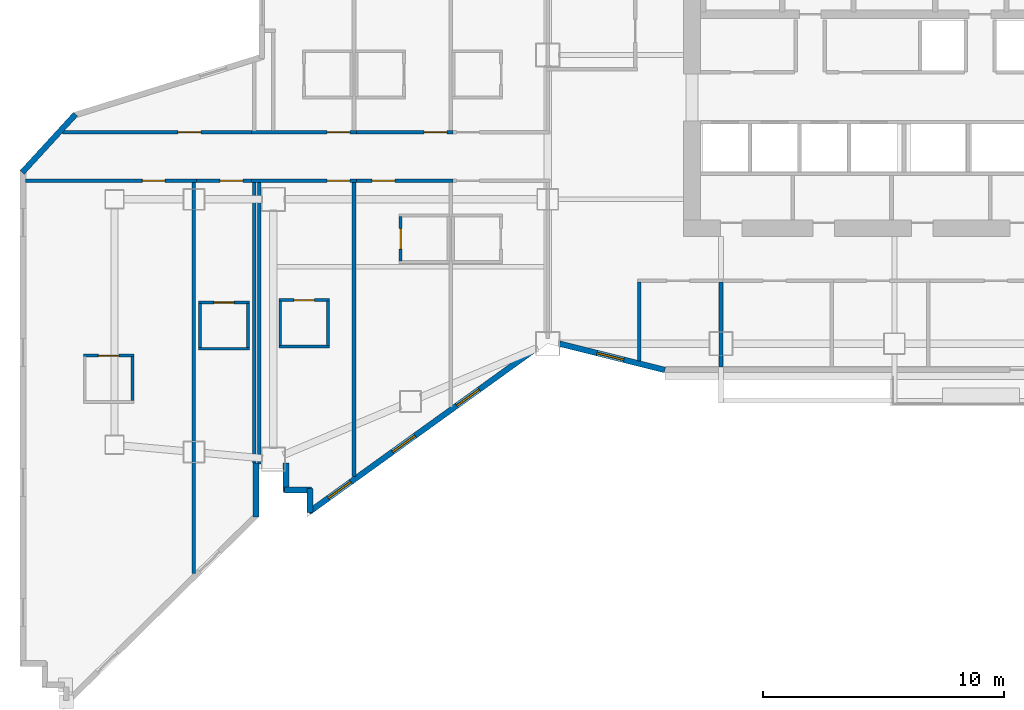
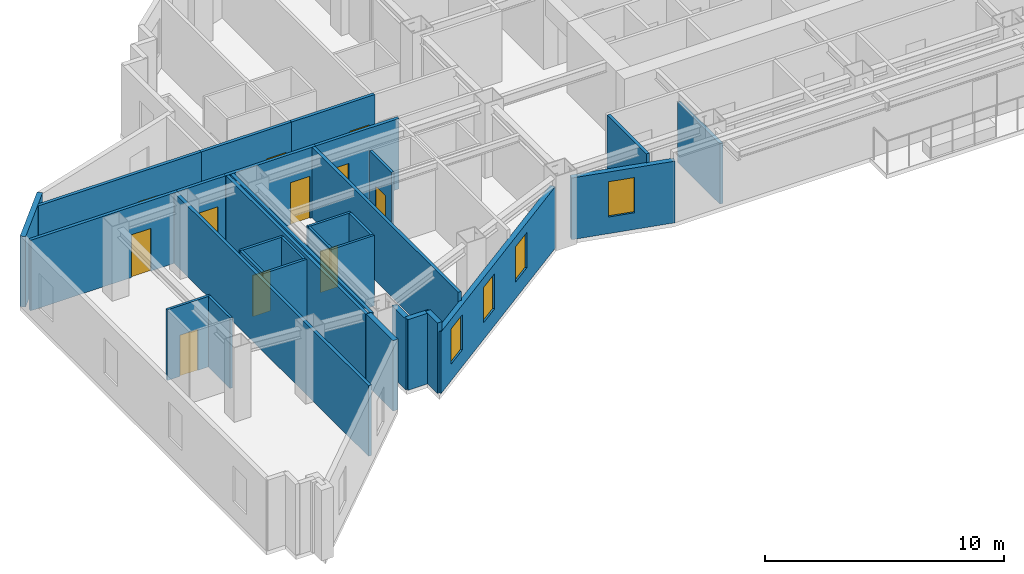
# One storey, part 5 of 13: 31 walls, 11 doors, 4 windows, 15 openings.
"""IFC4 building model written with IfcOpenShell, lengths in metres."""

from ifc_helpers import new_model, si_unit, direction, frame, frame_2d, origin, place, context, subcontext, project, spatial, rectangle, extrude, material, layer, layer_set, type_object, element, fill, save


model = new_model("IFC4")

# Units and contexts
model_context = context("Model", 3, precision=1e-05, world=origin(), true_north=direction((0.0, 1.0)))
body_context = subcontext(model_context, "Body", "Model", "MODEL_VIEW")
ifc_project = project(units=[si_unit("LENGTHUNIT", "METRE"), si_unit("AREAUNIT", "SQUARE_METRE"), si_unit("VOLUMEUNIT", "CUBIC_METRE"), si_unit("PLANEANGLEUNIT", "RADIAN"), si_unit("MASSUNIT", "GRAM", prefix="KILO")], contexts=[model_context])

# Site, building, storey
site_placement = place(None, origin())
site = spatial("IfcSite", under=ifc_project, at=site_placement, CompositionType="ELEMENT")
building_placement = place(site_placement, origin())
building = spatial("IfcBuilding", under=site, at=building_placement, Name="Haolan Belvedere Tower", CompositionType="ELEMENT")
storey_placement = place(building_placement, frame((0.0, 0.0, 117.39990234375)))
storey = spatial("IfcBuildingStorey", under=building, at=storey_placement, Name="L29", CompositionType="ELEMENT", Elevation=117.39990234375)

# Walls
ifc_material_1 = material(Name="Precast concrete C40/50", Category="concrete")
ifc_layer_1 = layer(ifc_material_1, 0.239990234375, Name="Precast concrete C40/50")
ifc_layer_set_1 = layer_set([ifc_layer_1], Name="Precast concrete C40/50")
wall_type_1 = type_object("IfcWallType", Name="WL-EXT-240", PredefinedType="SOLIDWALL", material=ifc_layer_set_1)
wall_1_placement = place(storey_placement, frame((13.1201171875, 16.639892578125, 0.0), z_axis=(0.0, 0.0, 1.0), x_axis=(0.0, -1.0, 0.0)))
element("IfcWall", 1, at=wall_1_placement, inside=storey, type_object=wall_type_1, Name="L29 pale-metal exterior spandrel wall 2.1", PredefinedType="SOLIDWALL", context=body_context, shape_type="SweptSolid", body=[
    extrude(rectangle(XDim=1.1748046875, YDim=0.239990234375, at=frame_2d((0.58740234375, 0.0))), origin(), (0.0, 0.0, 1.0), 3.60009765625),
])
wall_2_placement = place(storey_placement, frame((13.06494140625, 15.52001953125, 0.0), z_axis=(0.0, 0.0, 1.0), x_axis=(1.0, 0.0, 0.0)))
element("IfcWall", 2, at=wall_2_placement, inside=storey, type_object=wall_type_1, Name="L29 pale-metal exterior spandrel wall 3.1", PredefinedType="SOLIDWALL", context=body_context, shape_type="SweptSolid", body=[
    extrude(rectangle(XDim=1.110107421875, YDim=0.239990234375, at=frame_2d((0.55517578125, 0.0))), origin(), (0.0, 0.0, 1.0), 3.60009765625),
])
wall_3_placement = place(storey_placement, frame((14.1201171875, 15.574951171875, 0.0), z_axis=(0.0, 0.0, 1.0), x_axis=(0.0, -1.0, 0.0)))
element("IfcWall", 3, at=wall_3_placement, inside=storey, type_object=wall_type_1, Name="L29 pale-metal exterior spandrel wall 4.1", PredefinedType="SOLIDWALL", context=body_context, shape_type="SweptSolid", body=[
    extrude(rectangle(XDim=0.99560546875, YDim=0.239990234375, at=frame_2d((0.497802734375, 0.0))), origin(), (0.0, 0.0, 1.0), 3.60009765625),
])

# Wall, openings, windows
wall_4_placement = place(storey_placement, frame((14.075439453125, 14.602294921875, 0.0), z_axis=(0.0, 0.0, 1.0), x_axis=(0.811543504691, 0.584291998913, 0.0)))
wall_4 = element("IfcWall", 4, at=wall_4_placement, inside=storey, type_object=wall_type_1, Name="L29 pale-metal exterior spandrel wall 5.1", PredefinedType="SOLIDWALL", context=body_context, shape_type="SweptSolid", body=[
    extrude(rectangle(XDim=11.623046875, YDim=0.239990234375, at=frame_2d((5.8115234375, 0.0))), origin(), (0.0, 0.0, 1.0), 3.14501953125),
])
opening_1_placement = place(wall_4_placement, frame((1.00048828125, 0.0, 0.85009765625)))
opening_1 = element("IfcOpeningElement", 5, at=opening_1_placement, cuts=wall_4, Name="Opening W-02", PredefinedType="OPENING", context=body_context, shape_type="SweptSolid", body=[
    extrude(rectangle(XDim=1.14990234375, YDim=1.800048828125, at=frame_2d((0.574951171875, 0.89990234375))), frame((0.0, 0.1298828125, 0.0), z_axis=(0.0, -1.0, 0.0), x_axis=(1.0, 0.0, 0.0)), (0.0, 0.0, 1.0), 0.260009765625),
])
opening_2_placement = place(wall_4_placement, frame((7.57421875, 0.0, 0.85009765625)))
opening_2 = element("IfcOpeningElement", 6, at=opening_2_placement, cuts=wall_4, Name="Opening W-02", PredefinedType="OPENING", context=body_context, shape_type="SweptSolid", body=[
    extrude(rectangle(XDim=1.14990234375, YDim=1.800048828125, at=frame_2d((0.574951171875, 0.89990234375))), frame((0.0, 0.1298828125, 0.0), z_axis=(0.0, -1.0, 0.0), x_axis=(1.0, 0.0, 0.0)), (0.0, 0.0, 1.0), 0.260009765625),
])
opening_3_placement = place(wall_4_placement, frame((4.287353515625, 0.0, 0.85009765625)))
opening_3 = element("IfcOpeningElement", 7, at=opening_3_placement, cuts=wall_4, Name="Opening W-02", PredefinedType="OPENING", context=body_context, shape_type="SweptSolid", body=[
    extrude(rectangle(XDim=1.14990234375, YDim=1.800048828125, at=frame_2d((0.574951171875, 0.89990234375))), frame((0.0, 0.1298828125, 0.0), z_axis=(0.0, -1.0, 0.0), x_axis=(1.0, 0.0, 0.0)), (0.0, 0.0, 1.0), 0.260009765625),
])
ifc_material_2 = material(Name="Anodised aluminium 6063-T6 and Low-E glass", Category="aluminium")
window_type = type_object("IfcWindowType", Name="WN-DECO-Z2", PartitioningType="SINGLE_PANEL", PredefinedType="WINDOW", material=ifc_material_2)
window_1_placement = place(opening_1_placement, origin())
window_1 = element("IfcWindow", 8, at=window_1_placement, inside=storey, type_object=window_type, Name="L29 Art Deco chevron window 1", OverallHeight=1.800048828125, OverallWidth=1.14990234375, PartitioningType="SINGLE_PANEL", PredefinedType="WINDOW", context=body_context, shape_type="SweptSolid", body=[
    extrude(rectangle(XDim=1.14990234375, YDim=1.800048828125, at=frame_2d((0.574951171875, 0.89990234375))), frame((0.0, 0.030029296875, 0.0), z_axis=(0.0, -1.0, 0.0), x_axis=(1.0, 0.0, 0.0)), (0.0, 0.0, 1.0), 0.06005859375),
])
fill(opening_1, window_1)
window_2_placement = place(opening_2_placement, origin())
window_2 = element("IfcWindow", 9, at=window_2_placement, inside=storey, type_object=window_type, Name="L29 Art Deco chevron window 2", OverallHeight=1.800048828125, OverallWidth=1.14990234375, PartitioningType="SINGLE_PANEL", PredefinedType="WINDOW", context=body_context, shape_type="SweptSolid", body=[
    extrude(rectangle(XDim=1.14990234375, YDim=1.800048828125, at=frame_2d((0.574951171875, 0.89990234375))), frame((0.0, 0.030029296875, 0.0), z_axis=(0.0, -1.0, 0.0), x_axis=(1.0, 0.0, 0.0)), (0.0, 0.0, 1.0), 0.06005859375),
])
fill(opening_2, window_2)
window_3_placement = place(opening_3_placement, origin())
window_3 = element("IfcWindow", 10, at=window_3_placement, inside=storey, type_object=window_type, Name="L29 Art Deco guestroom window 1", OverallHeight=1.800048828125, OverallWidth=1.14990234375, PartitioningType="SINGLE_PANEL", PredefinedType="WINDOW", context=body_context, shape_type="SweptSolid", body=[
    extrude(rectangle(XDim=1.14990234375, YDim=1.800048828125, at=frame_2d((0.574951171875, 0.89990234375))), frame((0.0, 0.030029296875, 0.0), z_axis=(0.0, -1.0, 0.0), x_axis=(1.0, 0.0, 0.0)), (0.0, 0.0, 1.0), 0.06005859375),
])
fill(opening_3, window_3)

# Wall, opening, window
wall_5_placement = place(storey_placement, frame((24.491943359375, 21.6005859375, 0.0), z_axis=(0.0, 0.0, 1.0), x_axis=(0.970145683738, -0.242522890311, 0.0)))
wall_5 = element("IfcWall", 11, at=wall_5_placement, inside=storey, type_object=wall_type_1, Name="L29 pale-metal exterior spandrel wall 6.1", PredefinedType="SOLIDWALL", context=body_context, shape_type="SweptSolid", body=[
    extrude(rectangle(XDim=4.510986328125, YDim=0.239990234375, at=frame_2d((2.25537109375, 0.0))), origin(), (0.0, 0.0, 1.0), 3.14501953125),
])
opening_4_placement = place(wall_5_placement, frame((1.60009765625, 0.0, 0.85009765625)))
opening_4 = element("IfcOpeningElement", 12, at=opening_4_placement, cuts=wall_5, Name="Opening W-02", PredefinedType="OPENING", context=body_context, shape_type="SweptSolid", body=[
    extrude(rectangle(XDim=1.14990234375, YDim=1.800048828125, at=frame_2d((0.574951171875, 0.89990234375))), frame((0.0, 0.1298828125, 0.0), z_axis=(0.0, -1.0, 0.0), x_axis=(1.0, 0.0, 0.0)), (0.0, 0.0, 1.0), 0.260009765625),
])
window_4_placement = place(opening_4_placement, origin())
window_4 = element("IfcWindow", 13, at=window_4_placement, inside=storey, type_object=window_type, Name="L29 Art Deco chevron window 1", OverallHeight=1.800048828125, OverallWidth=1.14990234375, PartitioningType="SINGLE_PANEL", PredefinedType="WINDOW", context=body_context, shape_type="SweptSolid", body=[
    extrude(rectangle(XDim=1.14990234375, YDim=1.800048828125, at=frame_2d((0.574951171875, 0.89990234375))), frame((0.0, 0.030029296875, 0.0), z_axis=(0.0, -1.0, 0.0), x_axis=(1.0, 0.0, 0.0)), (0.0, 0.0, 1.0), 0.06005859375),
])
fill(opening_4, window_4)

# Walls
wall_6_placement = place(storey_placement, frame((4.3837890625, 31.135498046875, 0.0), z_axis=(0.0, 0.0, 1.0), x_axis=(-0.675761629512, -0.737120220913, 0.0)))
element("IfcWall", 14, at=wall_6_placement, inside=storey, type_object=wall_type_1, Name="L29 pale-metal exterior spandrel wall 43.1", PredefinedType="SOLIDWALL", context=body_context, shape_type="SweptSolid", body=[
    extrude(rectangle(XDim=3.28662109375, YDim=0.239990234375, at=frame_2d((1.643310546875, 0.0))), origin(), (0.0, 0.0, 1.0), 3.60009765625),
])
wall_7_placement = place(storey_placement, frame((11.8798828125, 14.395263671875, 0.0), z_axis=(0.0, 0.0, 1.0), x_axis=(0.0, 1.0, 0.0)))
element("IfcWall", 15, at=wall_7_placement, inside=storey, type_object=wall_type_1, Name="L29 pale-metal exterior spandrel wall 50.1", PredefinedType="SOLIDWALL", context=body_context, shape_type="SweptSolid", body=[
    extrude(rectangle(XDim=2.24462890625, YDim=0.239990234375, at=frame_2d((1.122314453125, 0.0))), origin(), (0.0, 0.0, 1.0), 3.60009765625),
])
ifc_material_3 = material(Name="Double gypsum acoustic stud partition", Category="masonry")
ifc_layer_2 = layer(ifc_material_3, 0.14990234375, Name="Double gypsum acoustic stud partition")
ifc_layer_set_2 = layer_set([ifc_layer_2], Name="Double gypsum acoustic stud partition")
wall_type_2 = type_object("IfcWallType", Name="WL-PART-150", PredefinedType="PARTITIONING", material=ifc_layer_set_2)
wall_8_placement = place(storey_placement, frame((27.800048828125, 20.882080078125, 0.0), z_axis=(0.0, 0.0, 1.0), x_axis=(0.0, 1.0, 0.0)))
element("IfcWall", 16, at=wall_8_placement, inside=storey, type_object=wall_type_2, Name="L29 interior partition IW-L29-KS2-W", PredefinedType="PARTITIONING", context=body_context, shape_type="SweptSolid", body=[
    extrude(rectangle(XDim=3.27783203125, YDim=0.14990234375, at=frame_2d((1.638916015625, 0.0))), origin(), (0.0, 0.0, 1.0), 3.60009765625),
])
wall_9_placement = place(storey_placement, frame((31.199951171875, 20.625, 0.0), z_axis=(0.0, 0.0, 1.0), x_axis=(0.0, 1.0, 0.0)))
element("IfcWall", 17, at=wall_9_placement, inside=storey, type_object=wall_type_2, Name="L29 interior partition IW-L29-KS2-E", PredefinedType="PARTITIONING", context=body_context, shape_type="SweptSolid", body=[
    extrude(rectangle(XDim=3.534912109375, YDim=0.14990234375, at=frame_2d((1.767578125, 0.0))), origin(), (0.0, 0.0, 1.0), 3.085205078125),
])

# Wall, opening, door
wall_10_placement = place(storey_placement, frame((11.699951171875, 30.3798828125, 0.0), z_axis=(0.0, 0.0, 1.0), x_axis=(1.0, 0.0, 0.0)))
wall_10 = element("IfcWall", 18, at=wall_10_placement, inside=storey, type_object=wall_type_2, Name="L29 interior partition IW-L29-T2N1-S", PredefinedType="PARTITIONING", context=body_context, shape_type="SweptSolid", body=[
    extrude(rectangle(XDim=4.35009765625, YDim=0.14990234375, at=frame_2d((2.175048828125, 0.0))), origin(), (0.0, 0.0, 1.0), 3.60009765625),
])
opening_5_placement = place(wall_10_placement, frame((3.1298828125, 0.0, 0.0)))
opening_5 = element("IfcOpeningElement", 19, at=opening_5_placement, cuts=wall_10, Name="Opening ID-02", PredefinedType="OPENING", context=body_context, shape_type="SweptSolid", body=[
    extrude(rectangle(XDim=0.949951171875, YDim=2.14990234375, at=frame_2d((0.47509765625, 1.074951171875))), frame((0.0, 0.0849609375, 0.0), z_axis=(0.0, -1.0, 0.0), x_axis=(1.0, 0.0, 0.0)), (0.0, 0.0, 1.0), 0.169921875),
])
ifc_material_4 = material(Name="Acoustic oak veneer fire-rated timber", Category="wood")
door_type_1 = type_object("IfcDoorType", Name="DR-GUEST-950", OperationType="NOTDEFINED", PredefinedType="DOOR", material=ifc_material_4)
door_1_placement = place(opening_5_placement, origin())
door_1 = element("IfcDoor", 20, at=door_1_placement, inside=storey, type_object=door_type_1, Name="L29 door ID-L29-T2N1-ENT", OperationType="SINGLE_SWING_RIGHT", OverallHeight=2.14990234375, OverallWidth=0.949951171875, PredefinedType="DOOR", context=body_context, shape_type="SweptSolid", body=[
    extrude(rectangle(XDim=0.949951171875, YDim=2.14990234375, at=frame_2d((0.47509765625, 1.074951171875))), frame((0.0, 0.02490234375, 0.0), z_axis=(0.0, -1.0, 0.0), x_axis=(1.0, 0.0, 0.0)), (0.0, 0.0, 1.0), 0.050048828125),
])
fill(opening_5, door_1)

wall_11_placement = place(storey_placement, frame((16.052001953125, 30.3798828125, 0.0), z_axis=(0.0, 0.0, 1.0), x_axis=(1.0, 0.0, 0.0)))
wall_11 = element("IfcWall", 21, at=wall_11_placement, inside=storey, type_object=wall_type_2, Name="L29 interior partition IW-L29-T2N2-S", PredefinedType="PARTITIONING", context=body_context, shape_type="SweptSolid", body=[
    extrude(rectangle(XDim=4.01806640625, YDim=0.14990234375, at=frame_2d((2.009033203125, 0.0))), origin(), (0.0, 0.0, 1.0), 3.60009765625),
])
opening_6_placement = place(wall_11_placement, frame((2.809814453125, 0.0, 0.0)))
opening_6 = element("IfcOpeningElement", 22, at=opening_6_placement, cuts=wall_11, Name="Opening ID-02", PredefinedType="OPENING", context=body_context, shape_type="SweptSolid", body=[
    extrude(rectangle(XDim=0.949951171875, YDim=2.14990234375, at=frame_2d((0.47509765625, 1.074951171875))), frame((0.0, 0.0849609375, 0.0), z_axis=(0.0, -1.0, 0.0), x_axis=(1.0, 0.0, 0.0)), (0.0, 0.0, 1.0), 0.169921875),
])
door_2_placement = place(opening_6_placement, origin())
door_2 = element("IfcDoor", 23, at=door_2_placement, inside=storey, type_object=door_type_1, Name="L29 door ID-L29-T2N2-ENT", OperationType="SINGLE_SWING_LEFT", OverallHeight=2.14990234375, OverallWidth=0.949951171875, PredefinedType="DOOR", context=body_context, shape_type="SweptSolid", body=[
    extrude(rectangle(XDim=0.949951171875, YDim=2.14990234375, at=frame_2d((0.47509765625, 1.074951171875))), frame((0.0, 0.02490234375, 0.0), z_axis=(0.0, -1.0, 0.0), x_axis=(1.0, 0.0, 0.0)), (0.0, 0.0, 1.0), 0.050048828125),
])
fill(opening_6, door_2)

wall_12_placement = place(storey_placement, frame((11.699951171875, 28.3701171875, 0.0), z_axis=(0.0, 0.0, 1.0), x_axis=(1.0, 0.0, 0.0)))
wall_12 = element("IfcWall", 24, at=wall_12_placement, inside=storey, type_object=wall_type_2, Name="L29 interior partition IW-L29-T2S1-N", PredefinedType="PARTITIONING", context=body_context, shape_type="SweptSolid", body=[
    extrude(rectangle(XDim=4.35009765625, YDim=0.14990234375, at=frame_2d((2.175048828125, 0.0))), origin(), (0.0, 0.0, 1.0), 3.60009765625),
])
opening_7_placement = place(wall_12_placement, frame((4.079833984375, 0.0, 0.0), z_axis=(0.0, 0.0, 1.0), x_axis=(-1.0, 0.0, 0.0)))
opening_7 = element("IfcOpeningElement", 25, at=opening_7_placement, cuts=wall_12, Name="Opening ID-02", PredefinedType="OPENING", context=body_context, shape_type="SweptSolid", body=[
    extrude(rectangle(XDim=0.949951171875, YDim=2.14990234375, at=frame_2d((0.47509765625, 1.074951171875))), frame((0.0, 0.0849609375, 0.0), z_axis=(0.0, -1.0, 0.0), x_axis=(1.0, 0.0, 0.0)), (0.0, 0.0, 1.0), 0.169921875),
])
door_3_placement = place(opening_7_placement, origin())
door_3 = element("IfcDoor", 26, at=door_3_placement, inside=storey, type_object=door_type_1, Name="L29 door ID-L29-T2S1-ENT", OperationType="SINGLE_SWING_LEFT", OverallHeight=2.14990234375, OverallWidth=0.949951171875, PredefinedType="DOOR", context=body_context, shape_type="SweptSolid", body=[
    extrude(rectangle(XDim=0.949951171875, YDim=2.14990234375, at=frame_2d((0.47509765625, 1.074951171875))), frame((0.0, 0.02490234375, 0.0), z_axis=(0.0, -1.0, 0.0), x_axis=(1.0, 0.0, 0.0)), (0.0, 0.0, 1.0), 0.050048828125),
])
fill(opening_7, door_3)

# Walls
wall_13_placement = place(storey_placement, frame((11.800048828125, 16.64208984375, 0.0), z_axis=(0.0, 0.0, 1.0), x_axis=(0.0, 1.0, 0.0)))
element("IfcWall", 27, at=wall_13_placement, inside=storey, type_object=wall_type_2, Name="L29 interior partition IW-L29-T2S1-W", PredefinedType="PARTITIONING", context=body_context, shape_type="SweptSolid", body=[
    extrude(rectangle(XDim=11.66796875, YDim=0.14990234375, at=frame_2d((5.833984375, 0.0))), origin(), (0.0, 0.0, 1.0), 3.60009765625),
])
wall_14_placement = place(storey_placement, frame((15.949951171875, 16.081298828125, 0.0), z_axis=(0.0, 0.0, 1.0), x_axis=(0.0, 1.0, 0.0)))
element("IfcWall", 28, at=wall_14_placement, inside=storey, type_object=wall_type_2, Name="L29 interior partition IW-L29-T2S1-E", PredefinedType="PARTITIONING", context=body_context, shape_type="SweptSolid", body=[
    extrude(rectangle(XDim=12.228759765625, YDim=0.14990234375, at=frame_2d((6.1142578125, 0.0))), origin(), (0.0, 0.0, 1.0), 3.60009765625),
])

# Wall, opening, door
wall_15_placement = place(storey_placement, frame((16.052001953125, 28.3701171875, 0.0), z_axis=(0.0, 0.0, 1.0), x_axis=(1.0, 0.0, 0.0)))
wall_15 = element("IfcWall", 29, at=wall_15_placement, inside=storey, type_object=wall_type_2, Name="L29 interior partition IW-L29-T2S2-N", PredefinedType="PARTITIONING", context=body_context, shape_type="SweptSolid", body=[
    extrude(rectangle(XDim=4.01806640625, YDim=0.14990234375, at=frame_2d((2.009033203125, 0.0))), origin(), (0.0, 0.0, 1.0), 3.60009765625),
])
opening_8_placement = place(wall_15_placement, frame((1.599365234375, 0.0, 0.0), z_axis=(0.0, 0.0, 1.0), x_axis=(-1.0, 0.0, 0.0)))
opening_8 = element("IfcOpeningElement", 30, at=opening_8_placement, cuts=wall_15, Name="Opening ID-02", PredefinedType="OPENING", context=body_context, shape_type="SweptSolid", body=[
    extrude(rectangle(XDim=0.949951171875, YDim=2.14990234375, at=frame_2d((0.47509765625, 1.074951171875))), frame((0.0, 0.0849609375, 0.0), z_axis=(0.0, -1.0, 0.0), x_axis=(1.0, 0.0, 0.0)), (0.0, 0.0, 1.0), 0.169921875),
])
door_4_placement = place(opening_8_placement, origin())
door_4 = element("IfcDoor", 31, at=door_4_placement, inside=storey, type_object=door_type_1, Name="L29 door ID-L29-T2S2-ENT", OperationType="SINGLE_SWING_RIGHT", OverallHeight=2.14990234375, OverallWidth=0.949951171875, PredefinedType="DOOR", context=body_context, shape_type="SweptSolid", body=[
    extrude(rectangle(XDim=0.949951171875, YDim=2.14990234375, at=frame_2d((0.47509765625, 1.074951171875))), frame((0.0, 0.02490234375, 0.0), z_axis=(0.0, -1.0, 0.0), x_axis=(1.0, 0.0, 0.0)), (0.0, 0.0, 1.0), 0.050048828125),
])
fill(opening_8, door_4)

wall_16_placement = place(storey_placement, frame((2.304931640625, 28.3701171875, 0.0), z_axis=(0.0, 0.0, 1.0), x_axis=(1.0, 0.0, 0.0)))
wall_16 = element("IfcWall", 32, at=wall_16_placement, inside=storey, type_object=wall_type_2, Name="L29 interior partition IW-L29-T1S1-N", PredefinedType="PARTITIONING", context=body_context, shape_type="SweptSolid", body=[
    extrude(rectangle(XDim=7.094970703125, YDim=0.14990234375, at=frame_2d((3.54736328125, 0.0))), origin(), (0.0, 0.0, 1.0), 3.60009765625),
])
opening_9_placement = place(wall_16_placement, frame((5.800048828125, 0.0, 0.0), z_axis=(0.0, 0.0, 1.0), x_axis=(-1.0, 0.0, 0.0)))
opening_9 = element("IfcOpeningElement", 33, at=opening_9_placement, cuts=wall_16, Name="Opening ID-01", PredefinedType="OPENING", context=body_context, shape_type="SweptSolid", body=[
    extrude(rectangle(XDim=0.949951171875, YDim=2.179931640625, at=frame_2d((0.47509765625, 1.08984375))), frame((0.0, 0.0849609375, 0.0), z_axis=(0.0, -1.0, 0.0), x_axis=(1.0, 0.0, 0.0)), (0.0, 0.0, 1.0), 0.169921875),
])
ifc_material_5 = material(Name="Acoustic walnut veneer fire-rated timber", Category="wood")
door_type_2 = type_object("IfcDoorType", Name="DR-SUITE-950", OperationType="NOTDEFINED", PredefinedType="DOOR", material=ifc_material_5)
door_5_placement = place(opening_9_placement, origin())
door_5 = element("IfcDoor", 34, at=door_5_placement, inside=storey, type_object=door_type_2, Name="L29 door ID-L29-T1S1-ENT", OperationType="SINGLE_SWING_RIGHT", OverallHeight=2.179931640625, OverallWidth=0.949951171875, PredefinedType="DOOR", context=body_context, shape_type="SweptSolid", body=[
    extrude(rectangle(XDim=0.949951171875, YDim=2.179931640625, at=frame_2d((0.47509765625, 1.08984375))), frame((0.0, 0.02490234375, 0.0), z_axis=(0.0, -1.0, 0.0), x_axis=(1.0, 0.0, 0.0)), (0.0, 0.0, 1.0), 0.050048828125),
])
fill(opening_9, door_5)

# Wall
wall_17_placement = place(storey_placement, frame((9.300048828125, 12.054443359375, 0.0), z_axis=(0.0, 0.0, 1.0), x_axis=(0.0, 1.0, 0.0)))
element("IfcWall", 35, at=wall_17_placement, inside=storey, type_object=wall_type_2, Name="L29 interior partition IW-L29-T1S1-E", PredefinedType="PARTITIONING", context=body_context, shape_type="SweptSolid", body=[
    extrude(rectangle(XDim=16.255615234375, YDim=0.14990234375, at=frame_2d((8.1279296875, 0.0))), origin(), (0.0, 0.0, 1.0), 3.60009765625),
])

# Wall, opening, door
wall_18_placement = place(storey_placement, frame((9.402099609375, 28.3701171875, 0.0), z_axis=(0.0, 0.0, 1.0), x_axis=(1.0, 0.0, 0.0)))
wall_18 = element("IfcWall", 36, at=wall_18_placement, inside=storey, type_object=wall_type_2, Name="L29 interior partition IW-L29-T1S2-N", PredefinedType="PARTITIONING", context=body_context, shape_type="SweptSolid", body=[
    extrude(rectangle(XDim=2.2958984375, YDim=0.14990234375, at=frame_2d((1.14794921875, 0.0))), origin(), (0.0, 0.0, 1.0), 3.60009765625),
])
opening_10_placement = place(wall_18_placement, frame((1.93408203125, 0.0, 0.0), z_axis=(0.0, 0.0, 1.0), x_axis=(-1.0, 0.0, 0.0)))
opening_10 = element("IfcOpeningElement", 37, at=opening_10_placement, cuts=wall_18, Name="Opening ID-02", PredefinedType="OPENING", context=body_context, shape_type="SweptSolid", body=[
    extrude(rectangle(XDim=0.949951171875, YDim=2.14990234375, at=frame_2d((0.47509765625, 1.074951171875))), frame((0.0, 0.0849609375, 0.0), z_axis=(0.0, -1.0, 0.0), x_axis=(1.0, 0.0, 0.0)), (0.0, 0.0, 1.0), 0.169921875),
])
door_6_placement = place(opening_10_placement, origin())
door_6 = element("IfcDoor", 38, at=door_6_placement, inside=storey, type_object=door_type_1, Name="L29 door ID-L29-T1S2-ENT", OperationType="SINGLE_SWING_LEFT", OverallHeight=2.14990234375, OverallWidth=0.949951171875, PredefinedType="DOOR", context=body_context, shape_type="SweptSolid", body=[
    extrude(rectangle(XDim=0.949951171875, YDim=2.14990234375, at=frame_2d((0.47509765625, 1.074951171875))), frame((0.0, 0.02490234375, 0.0), z_axis=(0.0, -1.0, 0.0), x_axis=(1.0, 0.0, 0.0)), (0.0, 0.0, 1.0), 0.050048828125),
])
fill(opening_10, door_6)

# Wall
wall_19_placement = place(storey_placement, frame((12.02001953125, 16.612060546875, 0.0), z_axis=(0.0, 0.0, 1.0), x_axis=(0.0, 1.0, 0.0)))
element("IfcWall", 39, at=wall_19_placement, inside=storey, type_object=wall_type_2, Name="L29 interior partition IW-L29-T1S2-E", PredefinedType="PARTITIONING", context=body_context, shape_type="SweptSolid", body=[
    extrude(rectangle(XDim=11.697998046875, YDim=0.14990234375, at=frame_2d((5.84912109375, 0.0))), origin(), (0.0, 0.0, 1.0), 3.60009765625),
])

# Wall, opening, door
wall_20_placement = place(storey_placement, frame((3.83349609375, 30.3798828125, 0.0), z_axis=(0.0, 0.0, 1.0), x_axis=(1.0, 0.0, 0.0)))
wall_20 = element("IfcWall", 40, at=wall_20_placement, inside=storey, type_object=wall_type_2, Name="L29 interior partition IW-L29-T1N1-S", PredefinedType="PARTITIONING", context=body_context, shape_type="SweptSolid", body=[
    extrude(rectangle(XDim=7.864501953125, YDim=0.14990234375, at=frame_2d((3.93212890625, 0.0))), origin(), (0.0, 0.0, 1.0), 3.60009765625),
])
opening_11_placement = place(wall_20_placement, frame((4.803955078125, 0.0, 0.0)))
opening_11 = element("IfcOpeningElement", 41, at=opening_11_placement, cuts=wall_20, Name="Opening ID-03", PredefinedType="OPENING", context=body_context, shape_type="SweptSolid", body=[
    extrude(rectangle(XDim=0.949951171875, YDim=2.1201171875, at=frame_2d((0.47509765625, 1.06005859375))), frame((0.0, 0.0849609375, 0.0), z_axis=(0.0, -1.0, 0.0), x_axis=(1.0, 0.0, 0.0)), (0.0, 0.0, 1.0), 0.169921875),
])
ifc_material_6 = material(Name="Painted solid-core timber", Category="wood")
door_type_3 = type_object("IfcDoorType", Name="DR-INT-950", OperationType="NOTDEFINED", PredefinedType="DOOR", material=ifc_material_6)
door_7_placement = place(opening_11_placement, origin())
door_7 = element("IfcDoor", 42, at=door_7_placement, inside=storey, type_object=door_type_3, Name="L29 door ID-L29-T1N1", OperationType="SINGLE_SWING_RIGHT", OverallHeight=2.1201171875, OverallWidth=0.949951171875, PredefinedType="DOOR", context=body_context, shape_type="SweptSolid", body=[
    extrude(rectangle(XDim=0.949951171875, YDim=2.1201171875, at=frame_2d((0.47509765625, 1.06005859375))), frame((0.0, 0.02490234375, 0.0), z_axis=(0.0, -1.0, 0.0), x_axis=(1.0, 0.0, 0.0)), (0.0, 0.0, 1.0), 0.050048828125),
])
fill(opening_11, door_7)

ifc_material_7 = material(Name="Moisture-resistant gypsum tile partition", Category="masonry")
ifc_layer_3 = layer(ifc_material_7, 0.1201171875, Name="Moisture-resistant gypsum tile partition")
ifc_layer_set_3 = layer_set([ifc_layer_3], Name="Moisture-resistant gypsum tile partition")
wall_type_3 = type_object("IfcWallType", Name="WL-WET-120", PredefinedType="PARTITIONING", material=ifc_layer_set_3)
wall_21_placement = place(storey_placement, frame((12.824951171875, 23.409912109375, 0.0), z_axis=(0.0, 0.0, 1.0), x_axis=(1.0, 0.0, 0.0)))
wall_21 = element("IfcWall", 43, at=wall_21_placement, inside=storey, type_object=wall_type_3, Name="L29 interior partition IW-L29-T2S1-BN", PredefinedType="PARTITIONING", context=body_context, shape_type="SweptSolid", body=[
    extrude(rectangle(XDim=2.10009765625, YDim=0.1201171875, at=frame_2d((1.050048828125, 0.0))), origin(), (0.0, 0.0, 1.0), 3.60009765625),
])
opening_12_placement = place(wall_21_placement, frame((1.47509765625, 0.0, 0.0), z_axis=(0.0, 0.0, 1.0), x_axis=(-1.0, 0.0, 0.0)))
opening_12 = element("IfcOpeningElement", 44, at=opening_12_placement, cuts=wall_21, Name="Opening ID-05", PredefinedType="OPENING", context=body_context, shape_type="SweptSolid", body=[
    extrude(rectangle(XDim=0.85009765625, YDim=2.10009765625, at=frame_2d((0.425048828125, 1.050048828125))), frame((0.0, 0.070068359375, 0.0), z_axis=(0.0, -1.0, 0.0), x_axis=(1.0, 0.0, 0.0)), (0.0, 0.0, 1.0), 0.14013671875),
])
ifc_material_8 = material(Name="Moisture-resistant lacquered timber", Category="wood")
door_type_4 = type_object("IfcDoorType", Name="DR-BATH-850", OperationType="NOTDEFINED", PredefinedType="DOOR", material=ifc_material_8)
door_8_placement = place(opening_12_placement, origin())
door_8 = element("IfcDoor", 45, at=door_8_placement, inside=storey, type_object=door_type_4, Name="L29 door ID-L29-T2S1-BATH", OperationType="SINGLE_SWING_RIGHT", OverallHeight=2.10009765625, OverallWidth=0.85009765625, PredefinedType="DOOR", context=body_context, shape_type="SweptSolid", body=[
    extrude(rectangle(XDim=0.85009765625, YDim=2.10009765625, at=frame_2d((0.425048828125, 1.050048828125))), frame((0.0, 0.02490234375, 0.0), z_axis=(0.0, -1.0, 0.0), x_axis=(1.0, 0.0, 0.0)), (0.0, 0.0, 1.0), 0.050048828125),
])
fill(opening_12, door_8)

# Walls
wall_22_placement = place(storey_placement, frame((12.824951171875, 21.489990234375, 0.0), z_axis=(0.0, 0.0, 1.0), x_axis=(1.0, 0.0, 0.0)))
element("IfcWall", 46, at=wall_22_placement, inside=storey, type_object=wall_type_3, Name="L29 interior partition IW-L29-T2S1-BS", PredefinedType="PARTITIONING", context=body_context, shape_type="SweptSolid", body=[
    extrude(rectangle(XDim=2.10009765625, YDim=0.1201171875, at=frame_2d((1.050048828125, 0.0))), origin(), (0.0, 0.0, 1.0), 3.60009765625),
])
for number, where, z_axis, x_axis, name in (
    (47, (12.885009765625, 21.534912109375, 0.0), (0.0, 0.0, 1.0), (0.0, 1.0, 0.0), "L29 interior partition IW-L29-T2S1-BW"),
    (48, (14.864990234375, 21.534912109375, 0.0), (0.0, 0.0, 1.0), (0.0, 1.0, 0.0), "L29 interior partition IW-L29-T2S1-BE"),
):
    element("IfcWall", number, at=place(storey_placement, frame(where, z_axis=z_axis, x_axis=x_axis)), inside=storey, type_object=wall_type_3, Name=name, PredefinedType="PARTITIONING", context=body_context, shape_type="SweptSolid", body=[
        extrude(rectangle(XDim=1.830078125, YDim=0.1201171875, at=frame_2d((0.9150390625, 0.0))), origin(), (0.0, 0.0, 1.0), 3.60009765625),
    ])

# Wall, opening, door
wall_23_placement = place(storey_placement, frame((17.889892578125, 25.044921875, 0.0), z_axis=(0.0, 0.0, 1.0), x_axis=(0.0, 1.0, 0.0)))
wall_23 = element("IfcWall", 49, at=wall_23_placement, inside=storey, type_object=wall_type_3, Name="L29 interior partition IW-L29-T2S2-BW", PredefinedType="PARTITIONING", context=body_context, shape_type="SweptSolid", body=[
    extrude(rectangle(XDim=1.830078125, YDim=0.1201171875, at=frame_2d((0.9150390625, 0.0))), origin(), (0.0, 0.0, 1.0), 3.60009765625),
])
opening_13_placement = place(wall_23_placement, frame((1.340087890625, 0.0, 0.0), z_axis=(0.0, 0.0, 1.0), x_axis=(-1.0, 0.0, 0.0)))
opening_13 = element("IfcOpeningElement", 50, at=opening_13_placement, cuts=wall_23, Name="Opening ID-05", PredefinedType="OPENING", context=body_context, shape_type="SweptSolid", body=[
    extrude(rectangle(XDim=0.85009765625, YDim=2.10009765625, at=frame_2d((0.425048828125, 1.050048828125))), frame((0.0, 0.070068359375, 0.0), z_axis=(0.0, -1.0, 0.0), x_axis=(1.0, 0.0, 0.0)), (0.0, 0.0, 1.0), 0.14013671875),
])
door_9_placement = place(opening_13_placement, origin())
door_9 = element("IfcDoor", 51, at=door_9_placement, inside=storey, type_object=door_type_4, Name="L29 door ID-L29-T2S2-BATH", OperationType="SINGLE_SWING_LEFT", OverallHeight=2.10009765625, OverallWidth=0.85009765625, PredefinedType="DOOR", context=body_context, shape_type="SweptSolid", body=[
    extrude(rectangle(XDim=0.85009765625, YDim=2.10009765625, at=frame_2d((0.425048828125, 1.050048828125))), frame((0.0, 0.02490234375, 0.0), z_axis=(0.0, -1.0, 0.0), x_axis=(1.0, 0.0, 0.0)), (0.0, 0.0, 1.0), 0.050048828125),
])
fill(opening_13, door_9)

wall_24_placement = place(storey_placement, frame((4.705078125, 21.10595703125, 0.0), z_axis=(0.0, 0.0, 1.0), x_axis=(1.0, 0.0, 0.0)))
wall_24 = element("IfcWall", 52, at=wall_24_placement, inside=storey, type_object=wall_type_3, Name="L29 interior partition IW-L29-T1S1-BN", PredefinedType="PARTITIONING", context=body_context, shape_type="SweptSolid", body=[
    extrude(rectangle(XDim=2.099853515625, YDim=0.1201171875, at=frame_2d((1.0498046875, 0.0))), origin(), (0.0, 0.0, 1.0), 3.60009765625),
])
opening_14_placement = place(wall_24_placement, frame((1.47509765625, 0.0, 0.0), z_axis=(0.0, 0.0, 1.0), x_axis=(-1.0, 0.0, 0.0)))
opening_14 = element("IfcOpeningElement", 53, at=opening_14_placement, cuts=wall_24, Name="Opening ID-05", PredefinedType="OPENING", context=body_context, shape_type="SweptSolid", body=[
    extrude(rectangle(XDim=0.85009765625, YDim=2.10009765625, at=frame_2d((0.425048828125, 1.050048828125))), frame((0.0, 0.070068359375, 0.0), z_axis=(0.0, -1.0, 0.0), x_axis=(1.0, 0.0, 0.0)), (0.0, 0.0, 1.0), 0.14013671875),
])
door_10_placement = place(opening_14_placement, origin())
door_10 = element("IfcDoor", 54, at=door_10_placement, inside=storey, type_object=door_type_4, Name="L29 door ID-L29-T1S1-BATH", OperationType="SINGLE_SWING_LEFT", OverallHeight=2.10009765625, OverallWidth=0.85009765625, PredefinedType="DOOR", context=body_context, shape_type="SweptSolid", body=[
    extrude(rectangle(XDim=0.85009765625, YDim=2.10009765625, at=frame_2d((0.425048828125, 1.050048828125))), frame((0.0, 0.02490234375, 0.0), z_axis=(0.0, -1.0, 0.0), x_axis=(1.0, 0.0, 0.0)), (0.0, 0.0, 1.0), 0.050048828125),
])
fill(opening_14, door_10)

# Wall
wall_25_placement = place(storey_placement, frame((6.7451171875, 19.23095703125, 0.0), z_axis=(0.0, 0.0, 1.0), x_axis=(0.0, 1.0, 0.0)))
element("IfcWall", 55, at=wall_25_placement, inside=storey, type_object=wall_type_3, Name="L29 interior partition IW-L29-T1S1-BE", PredefinedType="PARTITIONING", context=body_context, shape_type="SweptSolid", body=[
    extrude(rectangle(XDim=1.830078125, YDim=0.1201171875, at=frame_2d((0.9150390625, 0.0))), origin(), (0.0, 0.0, 1.0), 3.60009765625),
])

# Wall, opening, door
wall_26_placement = place(storey_placement, frame((9.5, 23.31005859375, 0.0), z_axis=(0.0, 0.0, 1.0), x_axis=(1.0, 0.0, 0.0)))
wall_26 = element("IfcWall", 56, at=wall_26_placement, inside=storey, type_object=wall_type_3, Name="L29 interior partition IW-L29-T1S2-BN", PredefinedType="PARTITIONING", context=body_context, shape_type="SweptSolid", body=[
    extrude(rectangle(XDim=2.10009765625, YDim=0.1201171875, at=frame_2d((1.050048828125, 0.0))), origin(), (0.0, 0.0, 1.0), 3.60009765625),
])
opening_15_placement = place(wall_26_placement, frame((1.47509765625, 0.0, 0.0), z_axis=(0.0, 0.0, 1.0), x_axis=(-1.0, 0.0, 0.0)))
opening_15 = element("IfcOpeningElement", 57, at=opening_15_placement, cuts=wall_26, Name="Opening ID-05", PredefinedType="OPENING", context=body_context, shape_type="SweptSolid", body=[
    extrude(rectangle(XDim=0.85009765625, YDim=2.10009765625, at=frame_2d((0.425048828125, 1.050048828125))), frame((0.0, 0.070068359375, 0.0), z_axis=(0.0, -1.0, 0.0), x_axis=(1.0, 0.0, 0.0)), (0.0, 0.0, 1.0), 0.14013671875),
])
door_11_placement = place(opening_15_placement, origin())
door_11 = element("IfcDoor", 58, at=door_11_placement, inside=storey, type_object=door_type_4, Name="L29 door ID-L29-T1S2-BATH", OperationType="SINGLE_SWING_RIGHT", OverallHeight=2.10009765625, OverallWidth=0.85009765625, PredefinedType="DOOR", context=body_context, shape_type="SweptSolid", body=[
    extrude(rectangle(XDim=0.85009765625, YDim=2.10009765625, at=frame_2d((0.425048828125, 1.050048828125))), frame((0.0, 0.02490234375, 0.0), z_axis=(0.0, -1.0, 0.0), x_axis=(1.0, 0.0, 0.0)), (0.0, 0.0, 1.0), 0.050048828125),
])
fill(opening_15, door_11)

# Walls
wall_27_placement = place(storey_placement, frame((9.5, 21.389892578125, 0.0), z_axis=(0.0, 0.0, 1.0), x_axis=(1.0, 0.0, 0.0)))
element("IfcWall", 59, at=wall_27_placement, inside=storey, type_object=wall_type_3, Name="L29 interior partition IW-L29-T1S2-BS", PredefinedType="PARTITIONING", context=body_context, shape_type="SweptSolid", body=[
    extrude(rectangle(XDim=2.10009765625, YDim=0.1201171875, at=frame_2d((1.050048828125, 0.0))), origin(), (0.0, 0.0, 1.0), 3.60009765625),
])
for number, where, z_axis, x_axis, name in (
    (60, (9.56005859375, 21.43505859375, 0.0), (0.0, 0.0, 1.0), (0.0, 1.0, 0.0), "L29 interior partition IW-L29-T1S2-BW"),
    (61, (11.5400390625, 21.43505859375, 0.0), (0.0, 0.0, 1.0), (0.0, 1.0, 0.0), "L29 interior partition IW-L29-T1S2-BE"),
):
    element("IfcWall", number, at=place(storey_placement, frame(where, z_axis=z_axis, x_axis=x_axis)), inside=storey, type_object=wall_type_3, Name=name, PredefinedType="PARTITIONING", context=body_context, shape_type="SweptSolid", body=[
        extrude(rectangle(XDim=1.829833984375, YDim=0.1201171875, at=frame_2d((0.9150390625, 0.0))), origin(), (0.0, 0.0, 1.0), 3.60009765625),
    ])

save(model, "model.ifc")
